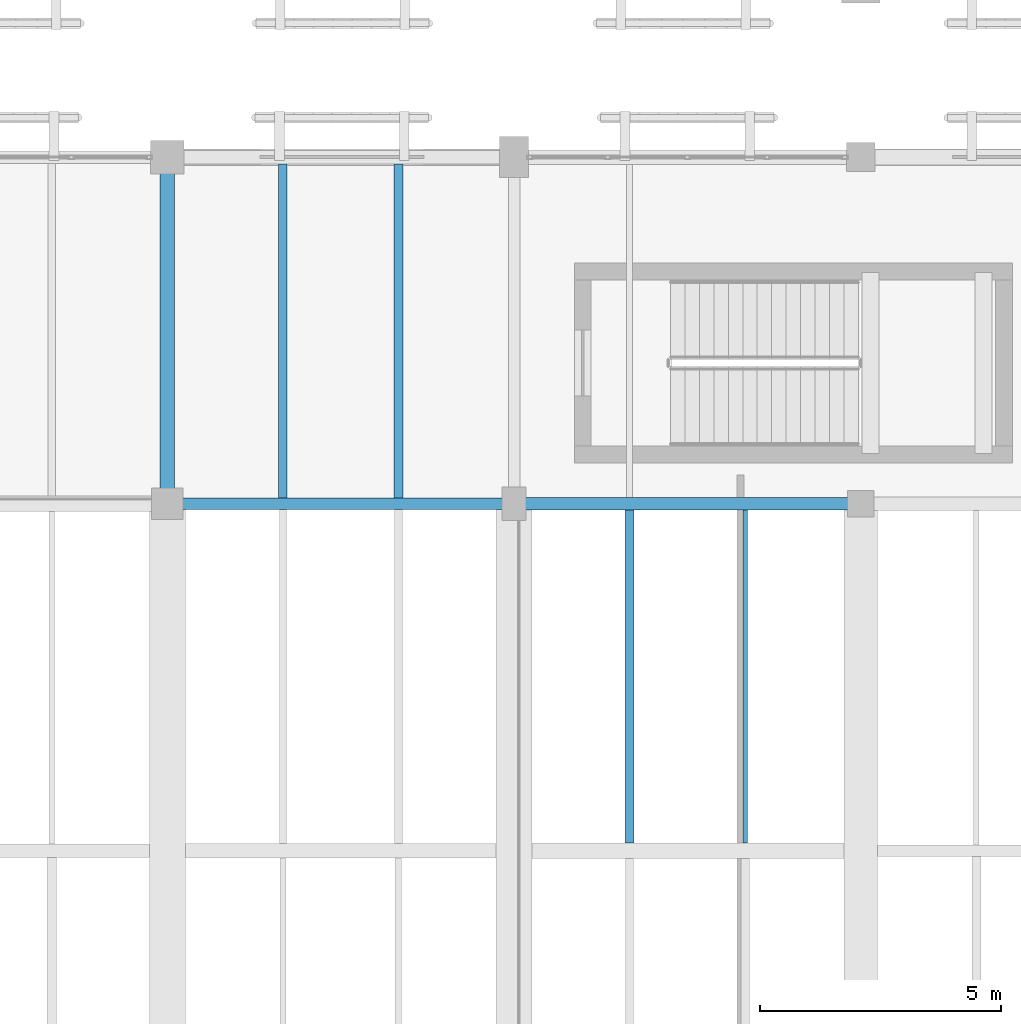
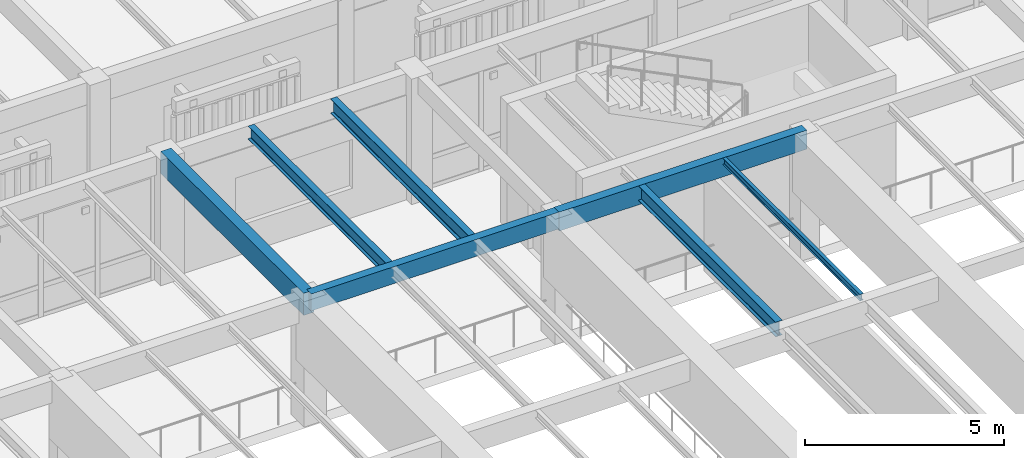
# One storey, part 93 of 170: 7 beams.
"""IFC4 building model written with IfcOpenShell, lengths in metres."""

from ifc_helpers import new_model, si_unit, direction, frame, origin, origin_2d, place, context, subcontext, project, spatial, rectangle, i_section, extrude, material, material_profile, profile_set, type_object, element, save


model = new_model("IFC4")

# Units and contexts
model_context = context("Model", 3, precision=1e-05, world=origin(), true_north=direction((0.0, 1.0)))
body_context = subcontext(model_context, "Body", "Model", "MODEL_VIEW")
ifc_project = project(units=[si_unit("LENGTHUNIT", "METRE"), si_unit("AREAUNIT", "SQUARE_METRE"), si_unit("VOLUMEUNIT", "CUBIC_METRE"), si_unit("PLANEANGLEUNIT", "RADIAN"), si_unit("MASSUNIT", "GRAM", prefix="KILO")], contexts=[model_context])

# Site, building, storey
site_placement = place(None, origin())
site = spatial("IfcSite", under=ifc_project, at=site_placement, CompositionType="ELEMENT")
building_placement = place(site_placement, origin())
building = spatial("IfcBuilding", under=site, at=building_placement, Name="Mazaris Harbour Polytechnic", CompositionType="ELEMENT")
storey_placement = place(building_placement, frame((0.0, 0.0, 5.39990234375)))
storey = spatial("IfcBuildingStorey", under=building, at=storey_placement, Name="L01", CompositionType="ELEMENT", Elevation=5.39990234375)

# Beams
ifc_material_1 = material(Name="Glulam GL32h", Category="wood")
ifc_material_profile_1 = material_profile(ifc_material_1, rectangle(XDim=0.239990234375, YDim=0.52001953125, at=origin_2d()), Name="RECT240x520")
ifc_profile_set_1 = profile_set([ifc_material_profile_1], Name="Glulam GL32h")
beam_type_1 = type_object("IfcBeamType", Name="Glulam Girder 240x520", PredefinedType="BEAM", material=ifc_profile_set_1)
beam_1_placement = place(storey_placement, frame((144.0, 36.0, 3.590087890625), z_axis=(1.0, 0.0, 0.0), x_axis=(0.0, 1.0, 0.0)))
element("IfcBeam", 1, at=beam_1_placement, inside=storey, type_object=beam_type_1, Name="V2 L01 Girder 545", PredefinedType="BEAM", context=body_context, shape_type="SweptSolid", body=[
    extrude(rectangle(XDim=0.239990234375, YDim=0.52001953125, at=origin_2d()), origin(), (0.0, 0.0, 1.0), 7.199951171875),
])
ifc_material_2 = material(Name="Glulam GL32h", Category="wood")
ifc_material_profile_2 = material_profile(ifc_material_2, rectangle(XDim=0.260009765625, YDim=0.580078125, at=origin_2d()), Name="RECT260x580")
ifc_profile_set_2 = profile_set([ifc_material_profile_2], Name="Glulam GL32h")
beam_type_2 = type_object("IfcBeamType", Name="Glulam Girder 260x580", PredefinedType="BEAM", material=ifc_profile_set_2)
beam_2_placement = place(storey_placement, frame((151.199951171875, 36.0, 3.56005859375), z_axis=(1.0, 0.0, 0.0), x_axis=(0.0, 1.0, 0.0)))
element("IfcBeam", 2, at=beam_2_placement, inside=storey, type_object=beam_type_2, Name="V2 L01 Girder 546", PredefinedType="BEAM", context=body_context, shape_type="SweptSolid", body=[
    extrude(rectangle(XDim=0.260009765625, YDim=0.580078125, at=origin_2d()), origin(), (0.0, 0.0, 1.0), 7.199951171875),
])
ifc_material_3 = material(Name="Glulam GL32h", Category="wood")
ifc_material_profile_3 = material_profile(ifc_material_3, rectangle(XDim=0.300048828125, YDim=0.679931640625, at=origin_2d()), Name="RECT300x680")
ifc_profile_set_3 = profile_set([ifc_material_profile_3], Name="Glulam GL32h")
beam_type_3 = type_object("IfcBeamType", Name="Glulam Girder 300x680", PredefinedType="BEAM", material=ifc_profile_set_3)
beam_3_placement = place(storey_placement, frame((144.0, 36.0, 3.510009765625), z_axis=(0.0, 1.0, 0.0), x_axis=(-1.0, 0.0, 0.0)))
element("IfcBeam", 3, at=beam_3_placement, inside=storey, type_object=beam_type_3, Name="V2 L01 Tie Girder 568", PredefinedType="BEAM", context=body_context, shape_type="SweptSolid", body=[
    extrude(rectangle(XDim=0.300048828125, YDim=0.679931640625, at=origin_2d()), origin(), (0.0, 0.0, 1.0), 7.199951171875),
])
ifc_material_4 = material(Name="Steel S355", Category="steel")
ifc_material_profile_4 = material_profile(ifc_material_4, i_section(OverallWidth=0.10009765625, OverallDepth=0.199951171875, WebThickness=0.005615234375, FlangeThickness=0.008544921875, FilletRadius=0.011962890625, at=origin_2d()), Name="IPE 200")
ifc_profile_set_4 = profile_set([ifc_material_profile_4], Name="Steel S355")
beam_type_4 = type_object("IfcBeamType", Name="Steel Joist IPE200", PredefinedType="JOIST", material=ifc_profile_set_4)
beam_4_placement = place(storey_placement, frame((156.0, 28.9599609375, 3.75), z_axis=(0.0, 1.0, 0.0), x_axis=(-1.0, 0.0, 0.0)))
element("IfcBeam", 4, at=beam_4_placement, inside=storey, type_object=beam_type_4, Name="V2 L01 Floor Joist 623", PredefinedType="JOIST", context=body_context, shape_type="SweptSolid", body=[
    extrude(i_section(OverallWidth=0.10009765625, OverallDepth=0.199951171875, WebThickness=0.005615234375, FlangeThickness=0.008544921875, FilletRadius=0.011962890625, at=origin_2d()), origin(), (0.0, 0.0, 1.0), 6.91015625),
])
ifc_material_5 = material(Name="Steel S355", Category="steel")
ifc_material_profile_5 = material_profile(ifc_material_5, i_section(OverallWidth=0.179931640625, OverallDepth=0.39990234375, WebThickness=0.008544921875, FlangeThickness=0.013427734375, FilletRadius=0.02099609375, at=origin_2d()), Name="IPE 400")
ifc_profile_set_5 = profile_set([ifc_material_profile_5], Name="Steel S355")
beam_type_5 = type_object("IfcBeamType", Name="Steel Joist IPE400", PredefinedType="JOIST", material=ifc_profile_set_5)
beam_5_placement = place(storey_placement, frame((146.39990234375, 36.1201171875, 3.650146484375), z_axis=(0.0, 1.0, 0.0), x_axis=(-1.0, 0.0, 0.0)))
element("IfcBeam", 5, at=beam_5_placement, inside=storey, type_object=beam_type_5, Name="V2 L01 Floor Joist 614", PredefinedType="JOIST", context=body_context, shape_type="SweptSolid", body=[
    extrude(i_section(OverallWidth=0.179931640625, OverallDepth=0.39990234375, WebThickness=0.008544921875, FlangeThickness=0.013427734375, FilletRadius=0.02099609375, at=origin_2d()), origin(), (0.0, 0.0, 1.0), 6.93994140625),
])
ifc_material_6 = material(Name="Steel S355", Category="steel")
ifc_material_profile_6 = material_profile(ifc_material_6, i_section(OverallWidth=0.18994140625, OverallDepth=0.449951171875, WebThickness=0.009521484375, FlangeThickness=0.0146484375, FilletRadius=0.02099609375, at=origin_2d()), Name="IPE 450")
ifc_profile_set_6 = profile_set([ifc_material_profile_6], Name="Steel S355")
beam_type_6 = type_object("IfcBeamType", Name="Steel Joist IPE450", PredefinedType="JOIST", material=ifc_profile_set_6)
beam_6_placement = place(storey_placement, frame((148.800048828125, 36.1201171875, 3.625), z_axis=(0.0, 1.0, 0.0), x_axis=(-1.0, 0.0, 0.0)))
element("IfcBeam", 6, at=beam_6_placement, inside=storey, type_object=beam_type_6, Name="V2 L01 Floor Joist 615", PredefinedType="JOIST", context=body_context, shape_type="SweptSolid", body=[
    extrude(i_section(OverallWidth=0.18994140625, OverallDepth=0.449951171875, WebThickness=0.009521484375, FlangeThickness=0.0146484375, FilletRadius=0.02099609375, at=origin_2d()), origin(), (0.0, 0.0, 1.0), 6.93994140625),
])
beam_7_placement = place(storey_placement, frame((153.60009765625, 28.9599609375, 3.625), z_axis=(0.0, 1.0, 0.0), x_axis=(-1.0, 0.0, 0.0)))
element("IfcBeam", 7, at=beam_7_placement, inside=storey, type_object=beam_type_6, Name="V2 L01 Floor Joist 622", PredefinedType="JOIST", context=body_context, shape_type="SweptSolid", body=[
    extrude(i_section(OverallWidth=0.18994140625, OverallDepth=0.449951171875, WebThickness=0.009521484375, FlangeThickness=0.0146484375, FilletRadius=0.02099609375, at=origin_2d()), origin(), (0.0, 0.0, 1.0), 6.91015625),
])

save(model, "model.ifc")
